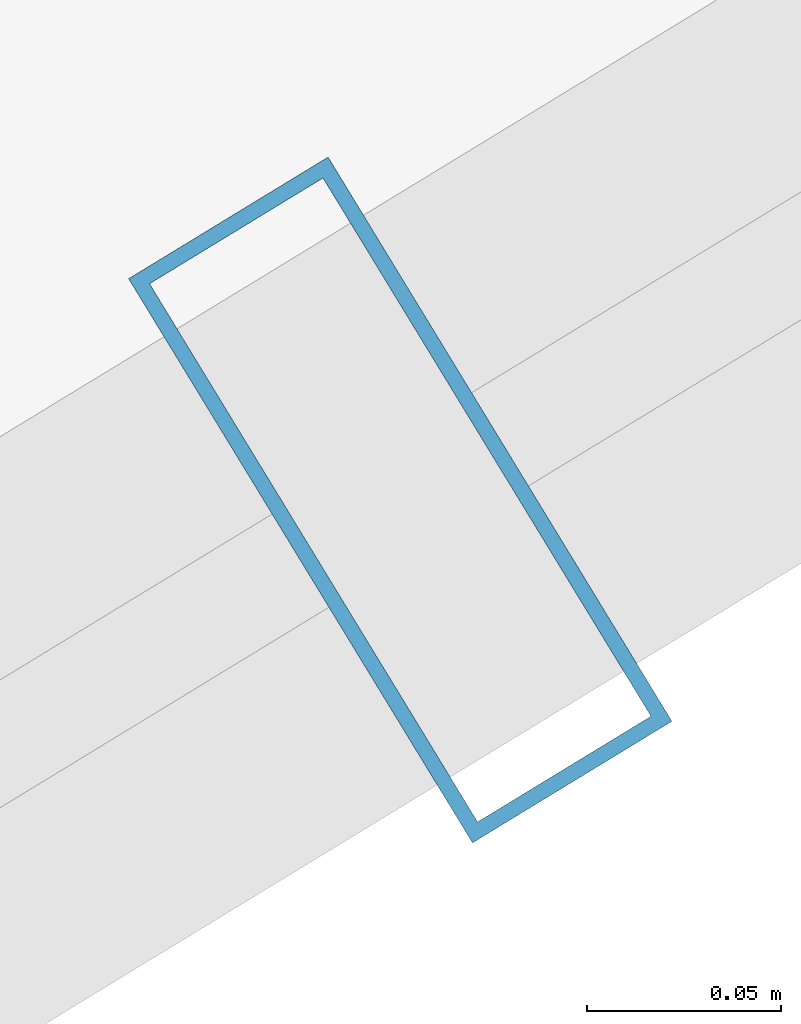
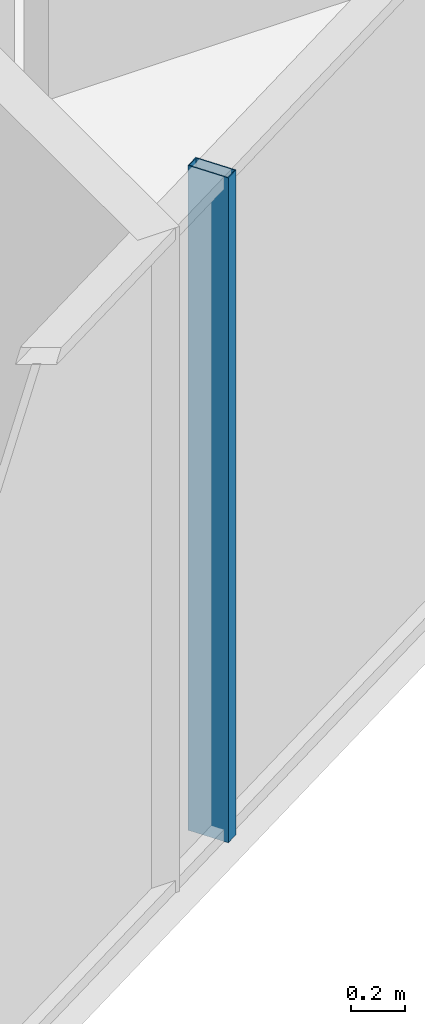
# One storey, part 7 of 31: 1 member, 1 element without a shape of its own.
"""IFC4 building model written with IfcOpenShell, lengths in metres."""

from ifc_helpers import new_model, si_unit, direction, frame, origin, origin_2d, place, context, subcontext, project, spatial, hollow_rectangle, extrude, source, transform, mapped, material, layer, layer_set, material_profile, profile_set, type_object, element, aggregate, save


model = new_model("IFC4")

# Units and contexts
model_context = context("Model", 3, precision=1e-05, world=origin(), true_north=direction((0.0, 1.0)))
body_context = subcontext(model_context, "Body", "Model", "MODEL_VIEW")
ifc_project = project(units=[si_unit("LENGTHUNIT", "METRE"), si_unit("AREAUNIT", "SQUARE_METRE"), si_unit("VOLUMEUNIT", "CUBIC_METRE"), si_unit("PLANEANGLEUNIT", "RADIAN"), si_unit("MASSUNIT", "GRAM", prefix="KILO")], contexts=[model_context])

# Site, building, storey
site_placement = place(None, origin())
site = spatial("IfcSite", under=ifc_project, at=site_placement, CompositionType="ELEMENT")
building_placement = place(site_placement, origin())
building = spatial("IfcBuilding", under=site, at=building_placement, Name="Veraguas Prism Commons", CompositionType="ELEMENT")
storey_placement = place(building_placement, frame((0.0, 0.0, 132.75)))
storey = spatial("IfcBuildingStorey", under=building, at=storey_placement, Name="L37", CompositionType="ELEMENT", Elevation=132.75)

# Curtain wall, member
ifc_material = material(Name="Anodised aluminium EN AW-6063 T6", Category="aluminium")
ifc_layer = layer(ifc_material, 0.169921875, Name="Unitised Flush Curtain Wall Zone 2", Category="aluminium")
ifc_layer_set = layer_set([ifc_layer], Name="Anodised aluminium EN AW-6063 T6")
curtain_wall_type = type_object("IfcCurtainWallType", Name="Unitised Flush Curtain Wall Zone 2", PredefinedType="NOTDEFINED", material=ifc_layer_set)
curtain_wall_placement = place(storey_placement, origin())
curtain_wall = element("IfcCurtainWall", 1, at=curtain_wall_placement, inside=storey, type_object=curtain_wall_type, Name="Tower Facade Curtain Wall L37-F5", PredefinedType="NOTDEFINED")
ifc_material_profile = material_profile(ifc_material, hollow_rectangle(XDim=0.06005859375, YDim=0.169921875, WallThickness=0.00390625, at=origin_2d()), Name="AL60X170X4")
ifc_profile_set = profile_set([ifc_material_profile], Name="Anodised aluminium EN AW-6063 T6")
member_type = type_object("IfcMemberType", Name="Curtain Wall Mullion Lower AL 60x170x4", PredefinedType="MULLION", material=ifc_profile_set)
shared_shape = source(origin(), body_context, "Body", "SweptSolid", [
    extrude(hollow_rectangle(XDim=0.06005859375, YDim=0.169921875, WallThickness=0.00390625, at=origin_2d()), origin(), (0.0, 0.0, 1.0), 3.0),
])
member_placement = place(storey_placement, frame((33.98291015625, 7.619873046875, 0.0), z_axis=(0.0, 0.0, 1.0), x_axis=(0.853916139162, 0.520410633326, 0.0)))
member = element("IfcMember", 2, at=member_placement, type_object=member_type, Name="CW-Z2 Mullion 3", PredefinedType="MULLION", context=body_context, shape_type="MappedRepresentation", body=[
    mapped(shared_shape, transform((0.0, 0.0, 0.0), scale=1.0)),
])
aggregate(curtain_wall, [member])

save(model, "model.ifc")
